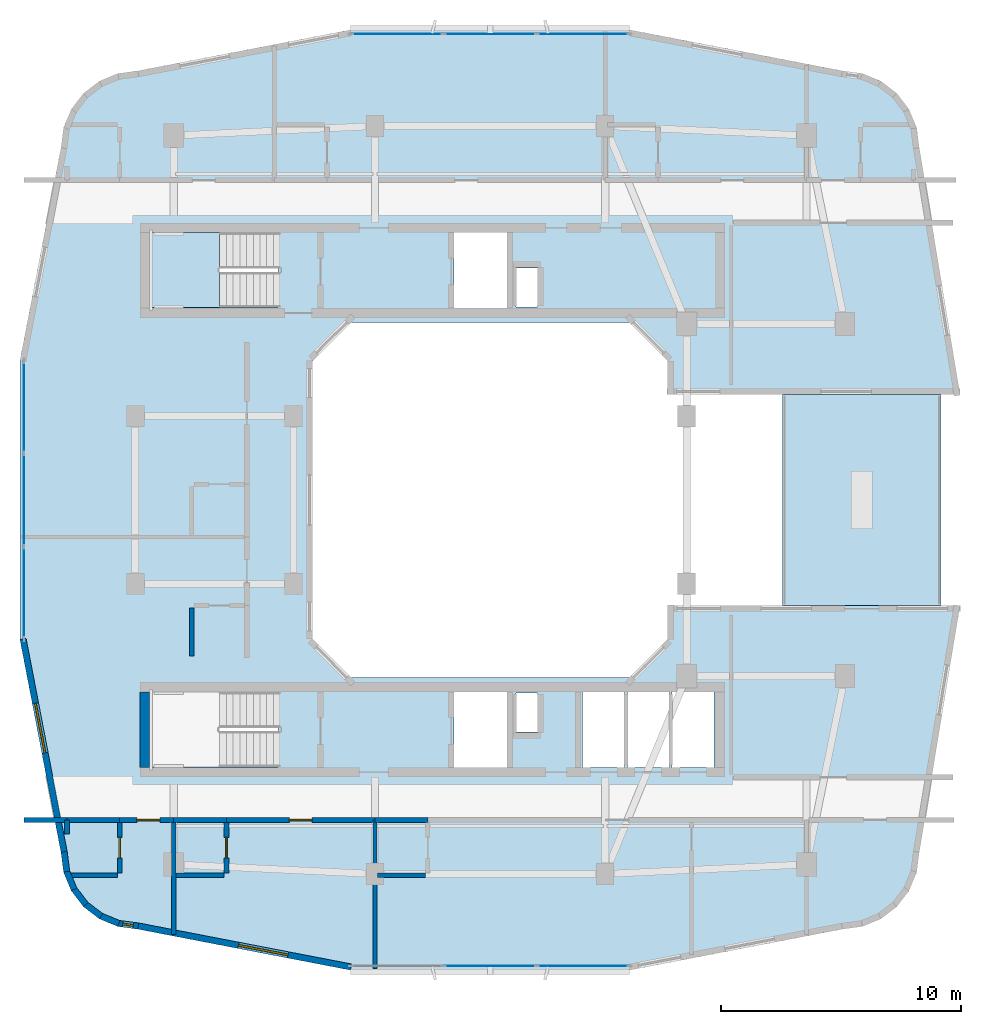
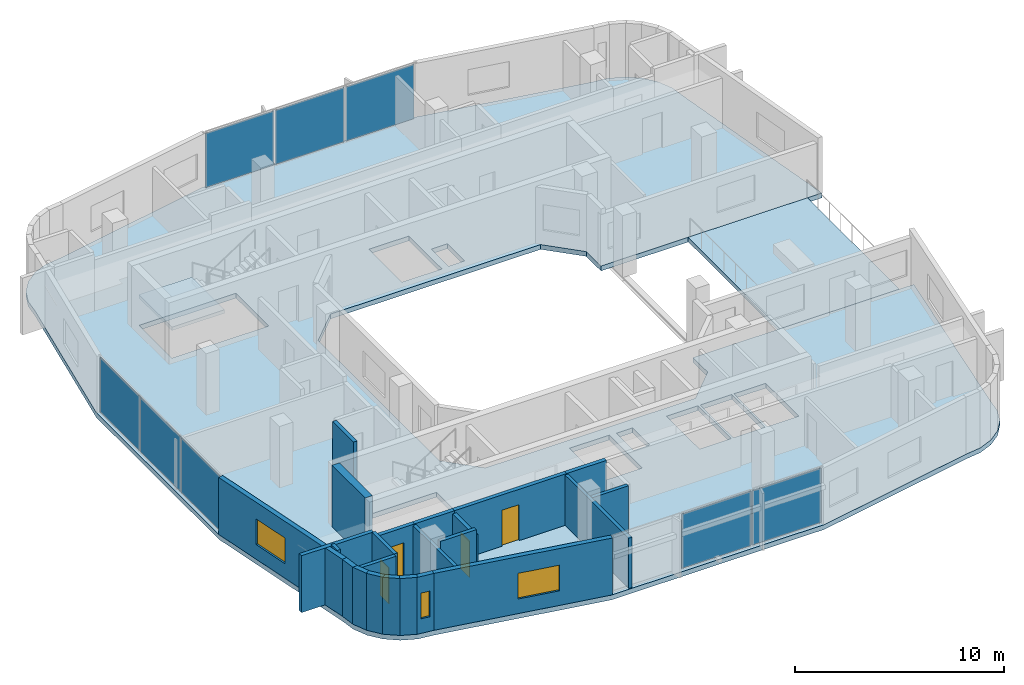
# One storey, part 4 of 12: 24 walls, 8 plates, 4 doors, 3 slabs, 3 windows, 7 openings, 4 elements without a shape of their own.
"""IFC4 building model written with IfcOpenShell, lengths in metres."""

from ifc_helpers import new_model, si_unit, derived_unit, direction, frame, frame_2d, origin, origin_2d, place, context, subcontext, project, spatial, polyline, rectangle, outline, extrude, material, layer, layer_set, type_object, element, fill, aggregate, save


model = new_model("IFC4")

# Units and contexts
model_context = context("Model", 3, precision=1e-05, world=origin(), true_north=direction((0.0, 1.0)))
body_context = subcontext(model_context, "Body", "Model", "MODEL_VIEW")
ifc_project = project(units=[si_unit("LENGTHUNIT", "METRE"), si_unit("AREAUNIT", "SQUARE_METRE"), si_unit("VOLUMEUNIT", "CUBIC_METRE"), si_unit("PLANEANGLEUNIT", "RADIAN"), si_unit("MASSUNIT", "GRAM", prefix="KILO"), derived_unit("THERMALTRANSMITTANCEUNIT", [(si_unit("POWERUNIT", "WATT"), 1), (si_unit("LENGTHUNIT", "METRE"), -2), (si_unit("THERMODYNAMICTEMPERATUREUNIT", "KELVIN"), -1)])], contexts=[model_context])

# Site, building, storey
site_placement = place(None, origin())
site = spatial("IfcSite", under=ifc_project, at=site_placement, CompositionType="ELEMENT")
building_placement = place(site_placement, origin())
building = spatial("IfcBuilding", under=site, at=building_placement, Name="Kivonza Crest Hotel", CompositionType="ELEMENT")
storey_placement = place(building_placement, frame((0.0, 0.0, 177.5)))
storey = spatial("IfcBuildingStorey", under=building, at=storey_placement, Name="L48", CompositionType="ELEMENT", Elevation=177.5)

# Curtain wall, plates
ifc_material_1 = material(Name="Anodised bronze aluminium and low-E double glazing", Category="aluminium")
ifc_layer_1 = layer(ifc_material_1, 0.179931640625)
ifc_layer_set_1 = layer_set([ifc_layer_1], Name="Anodised bronze aluminium and low-E double glazing")
curtain_wall_type = type_object("IfcCurtainWallType", Name="CW-SYS-3", PredefinedType="NOTDEFINED", material=ifc_layer_set_1)
curtain_wall_1_placement = place(storey_placement, origin())
curtain_wall_1 = element("IfcCurtainWall", 1, at=curtain_wall_1_placement, inside=storey, type_object=curtain_wall_type, Name="L48 unitised curtain wall CW-T1-L48-08", PredefinedType="NOTDEFINED")
ifc_material_2 = material(Name="Acoustic triple-laminated low-E glazing", Category="glass")
ifc_layer_2 = layer(ifc_material_2, 0.035888671875)
ifc_layer_set_2 = layer_set([ifc_layer_2], Name="Acoustic triple-laminated low-E glazing")
plate_type = type_object("IfcPlateType", Name="CW-PNL-36", PredefinedType="CURTAIN_PANEL", material=ifc_layer_set_2)
plate_1_placement = place(storey_placement, frame((21.0, 5.56005859375, 0.074951171875), z_axis=(0.0, 0.0, 1.0), x_axis=(1.0, 0.0, 0.0)))
plate_1 = element("IfcPlate", 2, at=plate_1_placement, type_object=plate_type, Name="CW-3 panel 2.1", PredefinedType="CURTAIN_PANEL", context=body_context, shape_type="SweptSolid", body=[
    extrude(rectangle(XDim=3.818359375, YDim=0.035888671875, at=origin_2d()), origin(), (0.0, 0.0, 1.0), 3.169921875),
])
plate_2_placement = place(storey_placement, frame((24.87451171875, 5.56005859375, 0.074951171875), z_axis=(0.0, 0.0, 1.0), x_axis=(1.0, 0.0, 0.0)))
plate_2 = element("IfcPlate", 3, at=plate_2_placement, type_object=plate_type, Name="CW-3 panel 3.1", PredefinedType="CURTAIN_PANEL", context=body_context, shape_type="SweptSolid", body=[
    extrude(rectangle(XDim=3.78076171875, YDim=0.035888671875, at=origin_2d()), origin(), (0.0, 0.0, 1.0), 3.169921875),
])
aggregate(curtain_wall_1, [plate_1, plate_2])

curtain_wall_2_placement = place(storey_placement, origin())
curtain_wall_2 = element("IfcCurtainWall", 4, at=curtain_wall_2_placement, inside=storey, type_object=curtain_wall_type, Name="L48 unitised curtain wall CW-T1-L48-36", PredefinedType="NOTDEFINED")
plate_3_placement = place(storey_placement, frame((24.87451171875, 44.43994140625, 0.074951171875), z_axis=(0.0, 0.0, 1.0), x_axis=(-1.0, 0.0, 0.0)))
plate_3 = element("IfcPlate", 5, at=plate_3_placement, type_object=plate_type, Name="CW-3 panel 1.1", PredefinedType="CURTAIN_PANEL", context=body_context, shape_type="SweptSolid", body=[
    extrude(rectangle(XDim=3.78076171875, YDim=0.035888671875, at=origin_2d()), origin(), (0.0, 0.0, 1.0), 3.169921875),
])
plate_4_placement = place(storey_placement, frame((21.0, 44.43994140625, 0.074951171875), z_axis=(0.0, 0.0, 1.0), x_axis=(-1.0, 0.0, 0.0)))
plate_4 = element("IfcPlate", 6, at=plate_4_placement, type_object=plate_type, Name="CW-3 panel 2.1", PredefinedType="CURTAIN_PANEL", context=body_context, shape_type="SweptSolid", body=[
    extrude(rectangle(XDim=3.818359375, YDim=0.035888671875, at=origin_2d()), origin(), (0.0, 0.0, 1.0), 3.169921875),
])
plate_5_placement = place(storey_placement, frame((17.12548828125, 44.43994140625, 0.074951171875), z_axis=(0.0, 0.0, 1.0), x_axis=(-1.0, 0.0, 0.0)))
plate_5 = element("IfcPlate", 7, at=plate_5_placement, type_object=plate_type, Name="CW-3 panel 3.1", PredefinedType="CURTAIN_PANEL", context=body_context, shape_type="SweptSolid", body=[
    extrude(rectangle(XDim=3.78076171875, YDim=0.035888671875, at=origin_2d()), origin(), (0.0, 0.0, 1.0), 3.169921875),
])
aggregate(curtain_wall_2, [plate_3, plate_4, plate_5])

curtain_wall_3_placement = place(storey_placement, origin())
curtain_wall_3 = element("IfcCurtainWall", 8, at=curtain_wall_3_placement, inside=storey, type_object=curtain_wall_type, Name="L48 unitised curtain wall CW-T1-L48-45", PredefinedType="NOTDEFINED")
plate_6_placement = place(storey_placement, frame((1.56005859375, 28.87451171875, 0.074951171875), z_axis=(0.0, 0.0, 1.0), x_axis=(0.0, -1.0, 0.0)))
plate_6 = element("IfcPlate", 9, at=plate_6_placement, type_object=plate_type, Name="CW-3 panel 1.1", PredefinedType="CURTAIN_PANEL", context=body_context, shape_type="SweptSolid", body=[
    extrude(rectangle(XDim=3.78076171875, YDim=0.035888671875, at=origin_2d()), origin(), (0.0, 0.0, 1.0), 3.169921875),
])
plate_7_placement = place(storey_placement, frame((1.56005859375, 25.0, 0.074951171875), z_axis=(0.0, 0.0, 1.0), x_axis=(0.0, -1.0, 0.0)))
plate_7 = element("IfcPlate", 10, at=plate_7_placement, type_object=plate_type, Name="CW-3 panel 2.1", PredefinedType="CURTAIN_PANEL", context=body_context, shape_type="SweptSolid", body=[
    extrude(rectangle(XDim=3.818359375, YDim=0.035888671875, at=origin_2d()), origin(), (0.0, 0.0, 1.0), 3.169921875),
])
plate_8_placement = place(storey_placement, frame((1.56005859375, 21.12548828125, 0.074951171875), z_axis=(0.0, 0.0, 1.0), x_axis=(0.0, -1.0, 0.0)))
plate_8 = element("IfcPlate", 11, at=plate_8_placement, type_object=plate_type, Name="CW-3 panel 3.1", PredefinedType="CURTAIN_PANEL", context=body_context, shape_type="SweptSolid", body=[
    extrude(rectangle(XDim=3.78076171875, YDim=0.035888671875, at=origin_2d()), origin(), (0.0, 0.0, 1.0), 3.169921875),
])
aggregate(curtain_wall_3, [plate_6, plate_7, plate_8])

# Slab
ifc_material_3 = material(Name="Concrete C40/50", Category="concrete")
ifc_layer_3 = layer(ifc_material_3, 0.280029296875)
ifc_layer_set_3 = layer_set([ifc_layer_3], Name="Concrete C40/50")
slab_type_1 = type_object("IfcSlabType", Name="SL-HTL-280", PredefinedType="FLOOR", material=ifc_layer_set_3)
slab_1_placement = place(storey_placement, frame((0.0, 0.0, -0.280029296875)))
element("IfcSlab", 12, at=slab_1_placement, inside=storey, type_object=slab_type_1, Name="Tower T1 L48 floor slab", PredefinedType="FLOOR", context=body_context, shape_type="SweptSolid", body=[
    extrude(outline(polyline([(3.10009765625, 10.300048828125), (3.208984375, 9.471923828125), (3.529052734375, 8.699951171875), (4.037109375, 8.037109375), (4.699951171875, 7.529052734375), (5.471923828125, 7.208984375), (6.300048828125, 7.10009765625), (15.1201171875, 5.39990234375), (26.8798828125, 5.39990234375), (35.699951171875, 7.10009765625), (36.528076171875, 7.208984375), (37.300048828125, 7.529052734375), (37.962890625, 8.037109375), (38.470947265625, 8.699951171875), (38.791015625, 9.471923828125), (38.89990234375, 10.300048828125), (40.60009765625, 20.60009765625), (28.39990234375, 20.60009765625), (28.39990234375, 19.199951171875), (26.800048828125, 17.60009765625), (15.199951171875, 17.60009765625), (13.60009765625, 19.199951171875), (13.60009765625, 30.800048828125), (15.199951171875, 32.39990234375), (26.800048828125, 32.39990234375), (28.39990234375, 30.800048828125), (28.39990234375, 29.39990234375), (40.60009765625, 29.39990234375), (38.89990234375, 39.699951171875), (38.791015625, 40.528076171875), (38.470947265625, 41.300048828125), (37.962890625, 41.962890625), (37.300048828125, 42.470947265625), (36.528076171875, 42.791015625), (35.699951171875, 42.89990234375), (26.8798828125, 44.60009765625), (15.1201171875, 44.60009765625), (6.300048828125, 42.89990234375), (5.471923828125, 42.791015625), (4.699951171875, 42.470947265625), (4.037109375, 41.962890625), (3.529052734375, 41.300048828125), (3.208984375, 40.528076171875), (3.10009765625, 39.699951171875), (1.39990234375, 30.8798828125), (1.39990234375, 19.1201171875), (3.10009765625, 10.300048828125)]), holes=[polyline([(6.800048828125, 33.02001953125), (12.159912109375, 33.02001953125), (12.159912109375, 36.159912109375), (6.800048828125, 36.159912109375), (6.800048828125, 33.02001953125)]), polyline([(6.800048828125, 13.860107421875), (12.159912109375, 13.860107421875), (12.159912109375, 17.0), (6.800048828125, 17.0), (6.800048828125, 13.860107421875)]), polyline([(22.080078125, 33.0400390625), (22.969970703125, 33.0400390625), (22.969970703125, 34.679931640625), (22.080078125, 34.679931640625), (22.080078125, 33.0400390625)]), polyline([(22.080078125, 15.320068359375), (22.969970703125, 15.320068359375), (22.969970703125, 16.9599609375), (22.080078125, 16.9599609375), (22.080078125, 15.320068359375)]), polyline([(19.5, 33.0), (21.699951171875, 33.0), (21.699951171875, 36.159912109375), (19.5, 36.159912109375), (19.5, 33.0)]), polyline([(19.5, 13.840087890625), (21.699951171875, 13.840087890625), (21.699951171875, 17.0), (19.5, 17.0), (19.5, 13.840087890625)]), polyline([(24.860107421875, 13.840087890625), (26.60693359375, 13.840087890625), (26.60693359375, 17.0), (24.860107421875, 17.0), (24.860107421875, 13.840087890625)]), polyline([(26.72705078125, 13.840087890625), (28.472900390625, 13.840087890625), (28.472900390625, 17.0), (26.72705078125, 17.0), (26.72705078125, 13.840087890625)]), polyline([(28.593017578125, 13.840087890625), (30.340087890625, 13.840087890625), (30.340087890625, 17.0), (28.593017578125, 17.0), (28.593017578125, 13.840087890625)])]), origin(), (0.0, 0.0, 1.0), 0.280029296875),
])

# Stair, slab
stair_type = type_object("IfcStairType", Name="ST-DL-20R", PredefinedType="HALF_TURN_STAIR", material=ifc_material_3)
stair_placement = place(storey_placement, origin())
stair = element("IfcStair", 13, at=stair_placement, inside=storey, type_object=stair_type, Name="L48 Protected Exit Stair ST-T1-N", PredefinedType="HALF_TURN_STAIR")
ifc_layer_4 = layer(ifc_material_3, 0.199951171875)
ifc_layer_set_4 = layer_set([ifc_layer_4], Name="Concrete C40/50")
slab_type_2 = type_object("IfcSlabType", Name="SL-LAND-200", PredefinedType="LANDING", material=ifc_layer_set_4)
slab_2_placement = place(storey_placement, frame((0.0, 0.0, 1.60009765625)))
slab_2 = element("IfcSlab", 14, at=slab_2_placement, type_object=slab_type_2, Name="ST-T1-N landing 1", PredefinedType="LANDING", context=body_context, shape_type="SweptSolid", body=[
    extrude(outline(polyline([(9.719970703125, 36.159912109375), (6.800048828125, 36.159912109375), (6.800048828125, 33.02001953125), (9.719970703125, 33.02001953125), (9.719970703125, 36.159912109375)])), origin(), (0.0, 0.0, 1.0), 0.199951171875),
])
aggregate(stair, [slab_2])

# Slab
ifc_layer_5 = layer(ifc_material_3, 0.239990234375)
ifc_layer_set_5 = layer_set([ifc_layer_5], Name="Concrete C40/50")
slab_type_3 = type_object("IfcSlabType", Name="SL-PORT-240", PredefinedType="FLOOR", material=ifc_layer_set_5)
slab_3_placement = place(storey_placement, frame((0.0, 0.0, -0.239990234375)))
element("IfcSlab", 15, at=slab_3_placement, inside=storey, type_object=slab_type_3, Name="Tower T1 L48 East void-portal outdoor terrace deck", PredefinedType="FLOOR", context=body_context, shape_type="SweptSolid", body=[
    extrude(outline(polyline([(33.199951171875, 20.60009765625), (39.800048828125, 20.60009765625), (39.800048828125, 29.39990234375), (33.199951171875, 29.39990234375), (33.199951171875, 20.60009765625)])), origin(), (0.0, 0.0, 1.0), 0.239990234375),
])

# Walls
ifc_material_4 = material(Name="High-density acoustic masonry inter-tenancy wall", Category="masonry")
ifc_layer_6 = layer(ifc_material_4, 0.179931640625)
ifc_layer_set_6 = layer_set([ifc_layer_6], Name="High-density acoustic masonry inter-tenancy wall")
wall_type_1 = type_object("IfcWallType", Name="WL-ACOU-180", PredefinedType="SOLIDWALL", material=ifc_layer_set_6)
wall_1_placement = place(storey_placement, frame((7.800048828125, 6.8720703125, 0.0), z_axis=(0.0, 0.0, 1.0), x_axis=(0.0, 1.0, 0.0)))
element("IfcWall", 16, at=wall_1_placement, inside=storey, type_object=wall_type_1, Name="L48 interior partition WA-L48-T1S-DIV1", PredefinedType="SOLIDWALL", context=body_context, shape_type="SweptSolid", body=[
    extrude(rectangle(XDim=4.77783203125, YDim=0.179931640625, at=frame_2d((2.388916015625, 0.0))), origin(), (0.0, 0.0, 1.0), 2.93505859375),
])
wall_2_placement = place(storey_placement, frame((16.199951171875, 5.4599609375, 0.0), z_axis=(0.0, 0.0, 1.0), x_axis=(0.0, 1.0, 0.0)))
element("IfcWall", 17, at=wall_2_placement, inside=storey, type_object=wall_type_1, Name="L48 interior partition WA-L48-T1S-DIV2", PredefinedType="SOLIDWALL", context=body_context, shape_type="SweptSolid", body=[
    extrude(rectangle(XDim=6.18994140625, YDim=0.179931640625, at=frame_2d((3.094970703125, 0.0))), origin(), (0.0, 0.0, 1.0), 2.93505859375),
])
ifc_material_5 = material(Name="Autoclaved aerated concrete blockwork", Category="masonry")
ifc_layer_7 = layer(ifc_material_5, 0.219970703125)
ifc_layer_set_7 = layer_set([ifc_layer_7], Name="Autoclaved aerated concrete blockwork")
wall_type_2 = type_object("IfcWallType", Name="WL-ACOU-220", PredefinedType="SOLIDWALL", material=ifc_layer_set_7)
wall_3_placement = place(storey_placement, frame((1.56005859375, 11.64990234375, 0.0), z_axis=(0.0, 0.0, 1.0), x_axis=(1.0, 0.0, 0.0)))
element("IfcWall", 18, at=wall_3_placement, inside=storey, type_object=wall_type_2, Name="L48 interior partition WA-L48-S05-XCORR", PredefinedType="SOLIDWALL", context=body_context, shape_type="SweptSolid", body=[
    extrude(rectangle(XDim=1.7900390625, YDim=0.219970703125, at=frame_2d((0.89501953125, 0.0))), origin(), (0.0, 0.0, 1.0), 3.320068359375),
])
wall_4_placement = place(storey_placement, frame((3.35009765625, 11.64990234375, 0.0), z_axis=(0.0, 0.0, 1.0), x_axis=(1.0, 0.0, 0.0)))
element("IfcWall", 19, at=wall_4_placement, inside=storey, type_object=wall_type_2, Name="L48 interior partition WA-L48-S05-BCORR", PredefinedType="SOLIDWALL", context=body_context, shape_type="SweptSolid", body=[
    extrude(rectangle(XDim=2.199951171875, YDim=0.219970703125, at=frame_2d((1.10009765625, 0.0))), origin(), (0.0, 0.0, 1.0), 3.320068359375),
])

# Wall, opening, door
wall_5_placement = place(storey_placement, frame((5.550048828125, 11.64990234375, 0.0), z_axis=(0.0, 0.0, 1.0), x_axis=(1.0, 0.0, 0.0)))
wall_5 = element("IfcWall", 20, at=wall_5_placement, inside=storey, type_object=wall_type_2, Name="L48 interior partition WA-L48-S05-MCORR", PredefinedType="SOLIDWALL", context=body_context, shape_type="SweptSolid", body=[
    extrude(rectangle(XDim=2.25, YDim=0.219970703125, at=frame_2d((1.125, 0.0))), origin(), (0.0, 0.0, 1.0), 2.9951171875),
])
opening_1_placement = place(wall_5_placement, frame((0.719970703125, 0.0, 0.0)))
opening_1 = element("IfcOpeningElement", 21, at=opening_1_placement, cuts=wall_5, Name="Opening DU-60", PredefinedType="OPENING", context=body_context, shape_type="SweptSolid", body=[
    extrude(rectangle(XDim=0.949951171875, YDim=2.10009765625, at=frame_2d((0.47509765625, 1.050048828125))), frame((0.0, 0.1201171875, 0.0), z_axis=(0.0, -1.0, 0.0), x_axis=(1.0, 0.0, 0.0)), (0.0, 0.0, 1.0), 0.239990234375),
])
ifc_material_6 = material(Name="Hardwood timber oak", Category="wood")
door_type_1 = type_object("IfcDoorType", Name="DR-UNIT-950", OperationType="NOTDEFINED", PredefinedType="DOOR", material=ifc_material_6)
door_1_placement = place(opening_1_placement, frame((0.949951171875, 0.0, 0.0), z_axis=(0.0, 0.0, 1.0), x_axis=(-1.0, 0.0, 0.0)))
door_1 = element("IfcDoor", 22, at=door_1_placement, inside=storey, type_object=door_type_1, Name="L48 S05 guest unit entrance fire door", OperationType="SINGLE_SWING_LEFT", OverallHeight=2.10009765625, OverallWidth=0.949951171875, PredefinedType="DOOR", context=body_context, shape_type="SweptSolid", body=[
    extrude(rectangle(XDim=0.949951171875, YDim=2.10009765625, at=frame_2d((0.47509765625, 1.050048828125))), frame((0.0, 0.02490234375, 0.0), z_axis=(0.0, -1.0, 0.0), x_axis=(1.0, 0.0, 0.0)), (0.0, 0.0, 1.0), 0.050048828125),
])
fill(opening_1, door_1)

# Wall
wall_6_placement = place(storey_placement, frame((7.800048828125, 11.64990234375, 0.0), z_axis=(0.0, 0.0, 1.0), x_axis=(1.0, 0.0, 0.0)))
element("IfcWall", 23, at=wall_6_placement, inside=storey, type_object=wall_type_2, Name="L48 interior partition WA-L48-S06-BCORR", PredefinedType="SOLIDWALL", context=body_context, shape_type="SweptSolid", body=[
    extrude(rectangle(XDim=2.199951171875, YDim=0.219970703125, at=frame_2d((1.10009765625, 0.0))), origin(), (0.0, 0.0, 1.0), 2.9951171875),
])

# Wall, opening, door
wall_7_placement = place(storey_placement, frame((10.0, 11.64990234375, 0.0), z_axis=(0.0, 0.0, 1.0), x_axis=(1.0, 0.0, 0.0)))
wall_7 = element("IfcWall", 24, at=wall_7_placement, inside=storey, type_object=wall_type_2, Name="L48 interior partition WA-L48-S06-MCORR", PredefinedType="SOLIDWALL", context=body_context, shape_type="SweptSolid", body=[
    extrude(rectangle(XDim=6.199951171875, YDim=0.219970703125, at=frame_2d((3.10009765625, 0.0))), origin(), (0.0, 0.0, 1.0), 2.9951171875),
])
opening_2_placement = place(wall_7_placement, frame((2.625, 0.0, 0.0)))
opening_2 = element("IfcOpeningElement", 25, at=opening_2_placement, cuts=wall_7, Name="Opening DU-60", PredefinedType="OPENING", context=body_context, shape_type="SweptSolid", body=[
    extrude(rectangle(XDim=0.949951171875, YDim=2.10009765625, at=frame_2d((0.47509765625, 1.050048828125))), frame((0.0, 0.1201171875, 0.0), z_axis=(0.0, -1.0, 0.0), x_axis=(1.0, 0.0, 0.0)), (0.0, 0.0, 1.0), 0.239990234375),
])
door_2_placement = place(opening_2_placement, frame((0.949951171875, 0.0, 0.0), z_axis=(0.0, 0.0, 1.0), x_axis=(-1.0, 0.0, 0.0)))
door_2 = element("IfcDoor", 26, at=door_2_placement, inside=storey, type_object=door_type_1, Name="L48 S06 guest unit entrance fire door", OperationType="SINGLE_SWING_RIGHT", OverallHeight=2.10009765625, OverallWidth=0.949951171875, PredefinedType="DOOR", context=body_context, shape_type="SweptSolid", body=[
    extrude(rectangle(XDim=0.949951171875, YDim=2.10009765625, at=frame_2d((0.47509765625, 1.050048828125))), frame((0.0, 0.02490234375, 0.0), z_axis=(0.0, -1.0, 0.0), x_axis=(1.0, 0.0, 0.0)), (0.0, 0.0, 1.0), 0.050048828125),
])
fill(opening_2, door_2)

# Walls
wall_8_placement = place(storey_placement, frame((16.199951171875, 11.64990234375, 0.0), z_axis=(0.0, 0.0, 1.0), x_axis=(1.0, 0.0, 0.0)))
element("IfcWall", 27, at=wall_8_placement, inside=storey, type_object=wall_type_2, Name="L48 interior partition WA-L48-S07-BCORR", PredefinedType="SOLIDWALL", context=body_context, shape_type="SweptSolid", body=[
    extrude(rectangle(XDim=2.199951171875, YDim=0.219970703125, at=frame_2d((1.10009765625, 0.0))), origin(), (0.0, 0.0, 1.0), 2.9951171875),
])
ifc_material_7 = material(Name="Concrete C50/60", Category="concrete")
ifc_layer_8 = layer(ifc_material_7, 0.39990234375)
ifc_layer_set_8 = layer_set([ifc_layer_8], Name="Concrete C50/60")
wall_type_3 = type_object("IfcWallType", Name="WL-CORE-400", PredefinedType="SHEAR", material=ifc_layer_set_8)
wall_9_placement = place(storey_placement, frame((6.60009765625, 13.840087890625, 0.0), z_axis=(0.0, 0.0, 1.0), x_axis=(0.0, 1.0, 0.0)))
element("IfcWall", 28, at=wall_9_placement, inside=storey, type_object=wall_type_3, Name="Core wall T1-S West L48", PredefinedType="SHEAR", context=body_context, shape_type="SweptSolid", body=[
    extrude(rectangle(XDim=3.159912109375, YDim=0.39990234375, at=frame_2d((1.580078125, 0.0))), origin(), (0.0, 0.0, 1.0), 3.60009765625),
])
ifc_material_8 = material(Name="Precast concrete C40/50", Category="concrete")
ifc_layer_9 = layer(ifc_material_8, 0.260009765625)
ifc_layer_set_9 = layer_set([ifc_layer_9], Name="Precast concrete C40/50")
wall_type_4 = type_object("IfcWallType", Name="WL-EXT-260", PredefinedType="STANDARD", material=ifc_layer_set_9)
wall_10_placement = place(storey_placement, frame((3.22802734375, 10.324951171875, 0.0), z_axis=(0.0, 0.0, 1.0), x_axis=(0.130704676564, -0.99142134712, 0.0)))
element("IfcWall", 29, at=wall_10_placement, inside=storey, type_object=wall_type_4, Name="L48 T1 exterior insulated wall 1", PredefinedType="STANDARD", context=body_context, shape_type="SweptSolid", body=[
    extrude(rectangle(XDim=0.8330078125, YDim=0.260009765625, at=frame_2d((0.41650390625, 0.0))), origin(), (0.0, 0.0, 1.0), 3.320068359375),
])
wall_11_placement = place(storey_placement, frame((3.319091796875, 9.544921875, 0.0), z_axis=(0.0, 0.0, 1.0), x_axis=(0.383086687796, -0.923712395518, 0.0)))
element("IfcWall", 30, at=wall_11_placement, inside=storey, type_object=wall_type_4, Name="L48 T1 exterior insulated wall 2", PredefinedType="STANDARD", context=body_context, shape_type="SweptSolid", body=[
    extrude(rectangle(XDim=0.850830078125, YDim=0.260009765625, at=frame_2d((0.42529296875, 0.0))), origin(), (0.0, 0.0, 1.0), 3.320068359375),
])
for number, where, z_axis, x_axis, name in (
    (31, (3.616943359375, 8.799072265625, 0.0), (0.0, 0.0, 1.0), (0.608099977432, -0.793860452124, 0.0), "L48 T1 exterior insulated wall 3"),
    (32, (4.095947265625, 8.155029296875, 0.0), (0.0, 0.0, 1.0), (0.793860452124, -0.608099977432, 0.0), "L48 T1 exterior insulated wall 4"),
):
    element("IfcWall", number, at=place(storey_placement, frame(where, z_axis=z_axis, x_axis=x_axis)), inside=storey, type_object=wall_type_4, Name=name, PredefinedType="STANDARD", context=body_context, shape_type="SweptSolid", body=[
        extrude(rectangle(XDim=0.850341796875, YDim=0.260009765625, at=frame_2d((0.42529296875, 0.0))), origin(), (0.0, 0.0, 1.0), 3.320068359375),
    ])
wall_12_placement = place(storey_placement, frame((4.72705078125, 7.658935546875, 0.0), z_axis=(0.0, 0.0, 1.0), x_axis=(0.923712395518, -0.383086687796, 0.0)))
element("IfcWall", 33, at=wall_12_placement, inside=storey, type_object=wall_type_4, Name="L48 T1 exterior insulated wall 5", PredefinedType="STANDARD", context=body_context, shape_type="SweptSolid", body=[
    extrude(rectangle(XDim=0.850830078125, YDim=0.260009765625, at=frame_2d((0.42529296875, 0.0))), origin(), (0.0, 0.0, 1.0), 3.320068359375),
])

# Wall, opening, window
wall_13_placement = place(storey_placement, frame((5.464111328125, 7.341064453125, 0.0), z_axis=(0.0, 0.0, 1.0), x_axis=(0.991488716273, -0.130192647656, 0.0)))
wall_13 = element("IfcWall", 34, at=wall_13_placement, inside=storey, type_object=wall_type_4, Name="L48 T1 exterior insulated wall 6", PredefinedType="STANDARD", context=body_context, shape_type="SweptSolid", body=[
    extrude(rectangle(XDim=0.8681640625, YDim=0.260009765625, at=frame_2d((0.43408203125, 0.0))), origin(), (0.0, 0.0, 1.0), 3.320068359375),
])
opening_3_placement = place(wall_13_placement, frame((0.208984375, 0.0, 0.85009765625)))
opening_3 = element("IfcOpeningElement", 35, at=opening_3_placement, cuts=wall_13, Name="Opening WN-11", PredefinedType="OPENING", context=body_context, shape_type="SweptSolid", body=[
    extrude(rectangle(XDim=0.449951171875, YDim=1.5, at=frame_2d((0.22509765625, 0.75))), frame((0.0, 0.14013671875, 0.0), z_axis=(0.0, -1.0, 0.0), x_axis=(1.0, 0.0, 0.0)), (0.0, 0.0, 1.0), 0.280029296875),
])
ifc_material_9 = material(Name="Thermally broken bronze aluminium and low-E double glazing", Category="aluminium")
window_type_1 = type_object("IfcWindowType", Name="WN-045x150", PartitioningType="SINGLE_PANEL", PredefinedType="WINDOW", material=ifc_material_9)
window_1_placement = place(opening_3_placement, origin())
window_1 = element("IfcWindow", 36, at=window_1_placement, inside=storey, type_object=window_type_1, Name="L48 corner vision window 2", OverallHeight=1.5, OverallWidth=0.449951171875, PartitioningType="SINGLE_PANEL", PredefinedType="WINDOW", context=body_context, shape_type="SweptSolid", body=[
    extrude(rectangle(XDim=0.449951171875, YDim=1.5, at=frame_2d((0.22509765625, 0.75))), frame((0.0, 0.030029296875, 0.0), z_axis=(0.0, -1.0, 0.0), x_axis=(1.0, 0.0, 0.0)), (0.0, 0.0, 1.0), 0.06005859375),
])
fill(opening_3, window_1)

wall_14_placement = place(storey_placement, frame((6.31689453125, 7.22998046875, 0.0), z_axis=(0.0, 0.0, 1.0), x_axis=(0.98192801022, -0.189254809039, 0.0)))
wall_14 = element("IfcWall", 37, at=wall_14_placement, inside=storey, type_object=wall_type_4, Name="L48 T1 exterior insulated wall 7", PredefinedType="STANDARD", context=body_context, shape_type="SweptSolid", body=[
    extrude(rectangle(XDim=9.045654296875, YDim=0.260009765625, at=frame_2d((4.52294921875, 0.0))), origin(), (0.0, 0.0, 1.0), 3.320068359375),
])
opening_4_placement = place(wall_14_placement, frame((4.264892578125, 0.0, 0.85009765625)))
opening_4 = element("IfcOpeningElement", 38, at=opening_4_placement, cuts=wall_14, Name="Opening WN-04", PredefinedType="OPENING", context=body_context, shape_type="SweptSolid", body=[
    extrude(rectangle(XDim=2.10009765625, YDim=1.5, at=frame_2d((1.050048828125, 0.75))), frame((0.0, 0.14013671875, 0.0), z_axis=(0.0, -1.0, 0.0), x_axis=(1.0, 0.0, 0.0)), (0.0, 0.0, 1.0), 0.280029296875),
])
window_type_2 = type_object("IfcWindowType", Name="WN-210x150", PartitioningType="DOUBLE_PANEL_VERTICAL", PredefinedType="WINDOW", material=ifc_material_9)
window_2_placement = place(opening_4_placement, origin())
window_2 = element("IfcWindow", 39, at=window_2_placement, inside=storey, type_object=window_type_2, Name="L48 T1 facade window 7", OverallHeight=1.5, OverallWidth=2.10009765625, PartitioningType="SINGLE_PANEL", PredefinedType="WINDOW", context=body_context, shape_type="SweptSolid", body=[
    extrude(rectangle(XDim=2.10009765625, YDim=1.5, at=frame_2d((1.050048828125, 0.75))), frame((0.0, 0.030029296875, 0.0), z_axis=(0.0, -1.0, 0.0), x_axis=(1.0, 0.0, 0.0)), (0.0, 0.0, 1.0), 0.06005859375),
])
fill(opening_4, window_2)

wall_15_placement = place(storey_placement, frame((1.51806640625, 19.198974609375, 0.0), z_axis=(0.0, 0.0, 1.0), x_axis=(0.189254809039, -0.98192801022, 0.0)))
wall_15 = element("IfcWall", 40, at=wall_15_placement, inside=storey, type_object=wall_type_4, Name="L48 T1 exterior insulated wall 46", PredefinedType="STANDARD", context=body_context, shape_type="SweptSolid", body=[
    extrude(rectangle(XDim=9.045654296875, YDim=0.260009765625, at=frame_2d((4.52294921875, 0.0))), origin(), (0.0, 0.0, 1.0), 3.320068359375),
])
opening_5_placement = place(wall_15_placement, frame((2.73291015625, 0.0, 0.85009765625)))
opening_5 = element("IfcOpeningElement", 41, at=opening_5_placement, cuts=wall_15, Name="Opening WN-04", PredefinedType="OPENING", context=body_context, shape_type="SweptSolid", body=[
    extrude(rectangle(XDim=2.10009765625, YDim=1.5, at=frame_2d((1.050048828125, 0.75))), frame((0.0, 0.14013671875, 0.0), z_axis=(0.0, -1.0, 0.0), x_axis=(1.0, 0.0, 0.0)), (0.0, 0.0, 1.0), 0.280029296875),
])
window_3_placement = place(opening_5_placement, origin())
window_3 = element("IfcWindow", 42, at=window_3_placement, inside=storey, type_object=window_type_2, Name="L48 T1 facade window 46", OverallHeight=1.5, OverallWidth=2.10009765625, PartitioningType="SINGLE_PANEL", PredefinedType="WINDOW", context=body_context, shape_type="SweptSolid", body=[
    extrude(rectangle(XDim=2.10009765625, YDim=1.5, at=frame_2d((1.050048828125, 0.75))), frame((0.0, 0.030029296875, 0.0), z_axis=(0.0, -1.0, 0.0), x_axis=(1.0, 0.0, 0.0)), (0.0, 0.0, 1.0), 0.06005859375),
])
fill(opening_5, window_3)

# Wall, opening, door
ifc_material_10 = material(Name="Moisture-resistant plumbing chase partition wall", Category="gypsum")
ifc_layer_10 = layer(ifc_material_10, 0.199951171875)
ifc_layer_set_10 = layer_set([ifc_layer_10], Name="Moisture-resistant plumbing chase partition wall")
wall_type_5 = type_object("IfcWallType", Name="WL-PLUMB-200", PredefinedType="PLUMBINGWALL", material=ifc_layer_set_10)
wall_16_placement = place(storey_placement, frame((5.550048828125, 9.449951171875, 0.0), z_axis=(0.0, 0.0, 1.0), x_axis=(0.0, 1.0, 0.0)))
wall_16 = element("IfcWall", 43, at=wall_16_placement, inside=storey, type_object=wall_type_5, Name="L48 interior partition WW-L48-S05-BV", PredefinedType="PLUMBINGWALL", context=body_context, shape_type="SweptSolid", body=[
    extrude(rectangle(XDim=2.10009765625, YDim=0.199951171875, at=frame_2d((1.050048828125, 0.0))), origin(), (0.0, 0.0, 1.0), 3.320068359375),
])
opening_6_placement = place(wall_16_placement, frame((0.625, 0.0, 0.0)))
opening_6 = element("IfcOpeningElement", 44, at=opening_6_placement, cuts=wall_16, Name="Opening DI-85", PredefinedType="OPENING", context=body_context, shape_type="SweptSolid", body=[
    extrude(rectangle(XDim=0.85009765625, YDim=2.10009765625, at=frame_2d((0.425048828125, 1.050048828125))), frame((0.0, 0.10986328125, 0.0), z_axis=(0.0, -1.0, 0.0), x_axis=(1.0, 0.0, 0.0)), (0.0, 0.0, 1.0), 0.219970703125),
])
door_type_2 = type_object("IfcDoorType", Name="DR-INT-850", OperationType="NOTDEFINED", PredefinedType="DOOR", material=ifc_material_6)
door_3_placement = place(opening_6_placement, frame((0.85009765625, 0.0, 0.0), z_axis=(0.0, 0.0, 1.0), x_axis=(-1.0, 0.0, 0.0)))
door_3 = element("IfcDoor", 45, at=door_3_placement, inside=storey, type_object=door_type_2, Name="L48 S05 en-suite bathroom door", OperationType="SINGLE_SWING_RIGHT", OverallHeight=2.10009765625, OverallWidth=0.85009765625, PredefinedType="DOOR", context=body_context, shape_type="SweptSolid", body=[
    extrude(rectangle(XDim=0.85009765625, YDim=2.10009765625, at=frame_2d((0.425048828125, 1.050048828125))), frame((0.0, 0.02490234375, 0.0), z_axis=(0.0, -1.0, 0.0), x_axis=(1.0, 0.0, 0.0)), (0.0, 0.0, 1.0), 0.050048828125),
])
fill(opening_6, door_3)

# Walls
wall_17_placement = place(storey_placement, frame((3.449951171875, 9.35009765625, 0.0), z_axis=(0.0, 0.0, 1.0), x_axis=(1.0, 0.0, 0.0)))
element("IfcWall", 46, at=wall_17_placement, inside=storey, type_object=wall_type_5, Name="L48 interior partition WW-L48-S05-BH", PredefinedType="PLUMBINGWALL", context=body_context, shape_type="SweptSolid", body=[
    extrude(rectangle(XDim=2.0, YDim=0.199951171875, at=frame_2d((1.0, 0.0))), origin(), (0.0, 0.0, 1.0), 3.320068359375),
])
wall_18_placement = place(storey_placement, frame((3.35009765625, 11.072998046875, 0.0), z_axis=(0.0, 0.0, 1.0), x_axis=(0.0, 1.0, 0.0)))
element("IfcWall", 47, at=wall_18_placement, inside=storey, type_object=wall_type_5, Name="L48 interior partition WW-L48-S05-BVW", PredefinedType="PLUMBINGWALL", context=body_context, shape_type="SweptSolid", body=[
    extrude(rectangle(XDim=0.576904296875, YDim=0.199951171875, at=frame_2d((0.28857421875, 0.0))), origin(), (0.0, 0.0, 1.0), 3.320068359375),
])

# Wall, opening, door
wall_19_placement = place(storey_placement, frame((10.0, 9.449951171875, 0.0), z_axis=(0.0, 0.0, 1.0), x_axis=(0.0, 1.0, 0.0)))
wall_19 = element("IfcWall", 48, at=wall_19_placement, inside=storey, type_object=wall_type_5, Name="L48 interior partition WW-L48-S06-BV", PredefinedType="PLUMBINGWALL", context=body_context, shape_type="SweptSolid", body=[
    extrude(rectangle(XDim=2.10009765625, YDim=0.199951171875, at=frame_2d((1.050048828125, 0.0))), origin(), (0.0, 0.0, 1.0), 2.844970703125),
])
opening_7_placement = place(wall_19_placement, frame((0.625, 0.0, 0.0)))
opening_7 = element("IfcOpeningElement", 49, at=opening_7_placement, cuts=wall_19, Name="Opening DI-85", PredefinedType="OPENING", context=body_context, shape_type="SweptSolid", body=[
    extrude(rectangle(XDim=0.85009765625, YDim=2.10009765625, at=frame_2d((0.425048828125, 1.050048828125))), frame((0.0, 0.10986328125, 0.0), z_axis=(0.0, -1.0, 0.0), x_axis=(1.0, 0.0, 0.0)), (0.0, 0.0, 1.0), 0.219970703125),
])
door_4_placement = place(opening_7_placement, frame((0.85009765625, 0.0, 0.0), z_axis=(0.0, 0.0, 1.0), x_axis=(-1.0, 0.0, 0.0)))
door_4 = element("IfcDoor", 50, at=door_4_placement, inside=storey, type_object=door_type_2, Name="L48 S06 en-suite bathroom door", OperationType="SINGLE_SWING_LEFT", OverallHeight=2.10009765625, OverallWidth=0.85009765625, PredefinedType="DOOR", context=body_context, shape_type="SweptSolid", body=[
    extrude(rectangle(XDim=0.85009765625, YDim=2.10009765625, at=frame_2d((0.425048828125, 1.050048828125))), frame((0.0, 0.02490234375, 0.0), z_axis=(0.0, -1.0, 0.0), x_axis=(1.0, 0.0, 0.0)), (0.0, 0.0, 1.0), 0.050048828125),
])
fill(opening_7, door_4)

# Walls
wall_20_placement = place(storey_placement, frame((7.89990234375, 9.35009765625, 0.0), z_axis=(0.0, 0.0, 1.0), x_axis=(1.0, 0.0, 0.0)))
element("IfcWall", 51, at=wall_20_placement, inside=storey, type_object=wall_type_5, Name="L48 interior partition WW-L48-S06-BH", PredefinedType="PLUMBINGWALL", context=body_context, shape_type="SweptSolid", body=[
    extrude(rectangle(XDim=2.0, YDim=0.199951171875, at=frame_2d((1.0, 0.0))), origin(), (0.0, 0.0, 1.0), 3.320068359375),
])
wall_21_placement = place(storey_placement, frame((16.300048828125, 9.35009765625, 0.0), z_axis=(0.0, 0.0, 1.0), x_axis=(1.0, 0.0, 0.0)))
element("IfcWall", 52, at=wall_21_placement, inside=storey, type_object=wall_type_5, Name="L48 interior partition WW-L48-S07-BH", PredefinedType="PLUMBINGWALL", context=body_context, shape_type="SweptSolid", body=[
    extrude(rectangle(XDim=2.0, YDim=0.199951171875, at=frame_2d((1.0, 0.0))), origin(), (0.0, 0.0, 1.0), 2.93505859375),
])
wall_22_placement = place(storey_placement, frame((8.550048828125, 18.5, 0.0), z_axis=(0.0, 0.0, 1.0), x_axis=(0.0, 1.0, 0.0)))
element("IfcWall", 53, at=wall_22_placement, inside=storey, type_object=wall_type_5, Name="L48 interior partition WW-L48-W08-BV", PredefinedType="PLUMBINGWALL", context=body_context, shape_type="SweptSolid", body=[
    extrude(rectangle(XDim=2.0, YDim=0.199951171875, at=frame_2d((1.0, 0.0))), origin(), (0.0, 0.0, 1.0), 3.320068359375),
])

save(model, "model.ifc")
